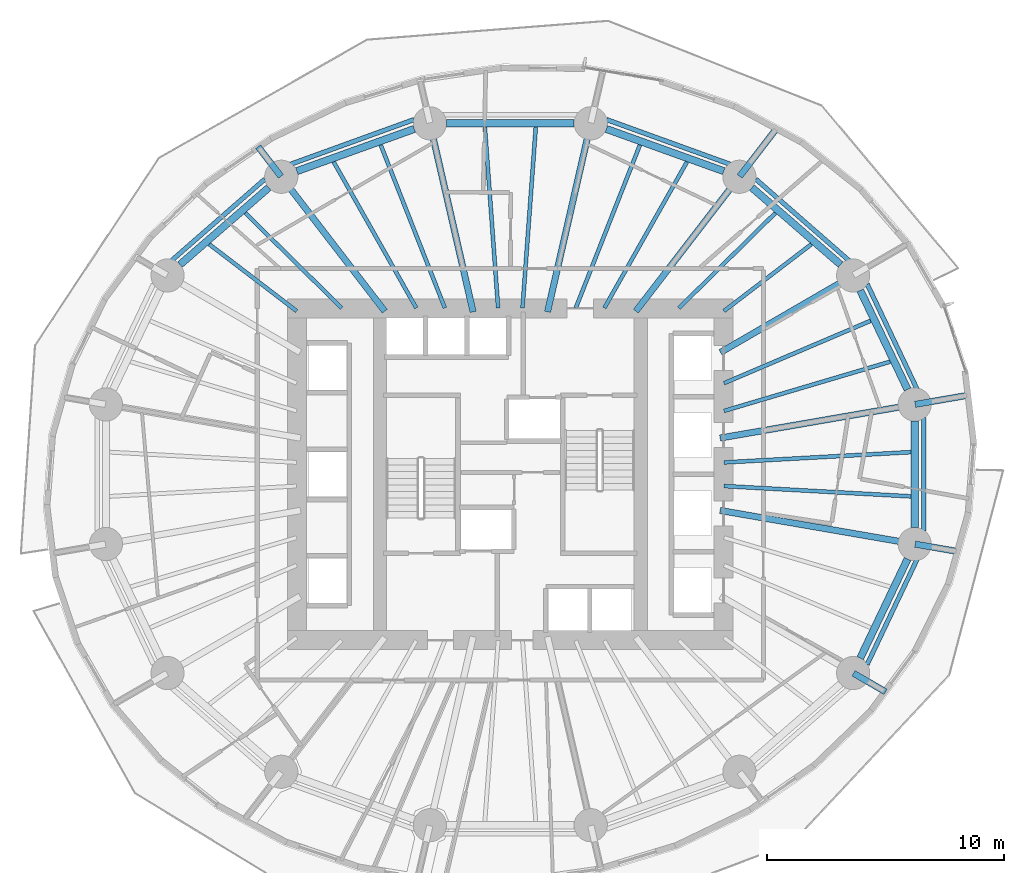
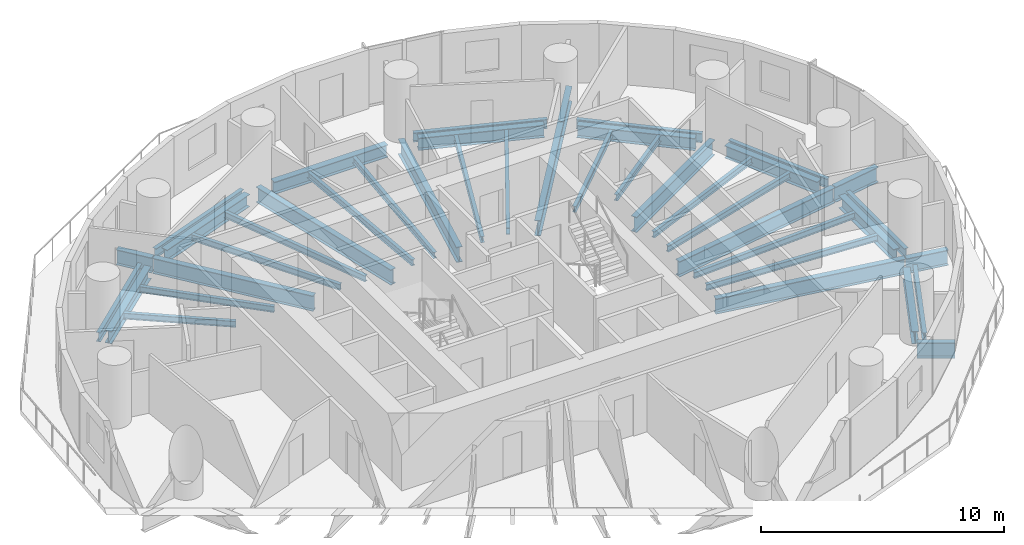
# One storey, part 2 of 13: 41 beams.
"""IFC4 building model written with IfcOpenShell, lengths in metres."""

from ifc_helpers import new_model, si_unit, direction, frame, origin, origin_2d, place, context, subcontext, project, spatial, i_section, extrude, material, material_profile, profile_set, type_object, element, save


model = new_model("IFC4")

# Units and contexts
model_context = context("Model", 3, precision=1e-05, world=origin(), true_north=direction((0.0, 1.0)))
body_context = subcontext(model_context, "Body", "Model", "MODEL_VIEW")
ifc_project = project(units=[si_unit("LENGTHUNIT", "METRE"), si_unit("AREAUNIT", "SQUARE_METRE"), si_unit("VOLUMEUNIT", "CUBIC_METRE"), si_unit("PLANEANGLEUNIT", "RADIAN"), si_unit("MASSUNIT", "GRAM", prefix="KILO")], contexts=[model_context])

# Site, building, storey
site_placement = place(None, origin())
site = spatial("IfcSite", under=ifc_project, at=site_placement, CompositionType="ELEMENT")
building_placement = place(site_placement, origin())
building = spatial("IfcBuilding", under=site, at=building_placement, Name="Veldorim Arch Residences", CompositionType="ELEMENT")
storey_placement = place(building_placement, frame((0.0, 0.0, 56.800048828125)))
storey = spatial("IfcBuildingStorey", under=building, at=storey_placement, Name="L16", CompositionType="ELEMENT", Elevation=56.800048828125)

# Beams
ifc_material_1 = material(Name="Steel S355", Category="steel")
ifc_material_profile_1 = material_profile(ifc_material_1, i_section(OverallWidth=0.30712890625, OverallDepth=0.6201171875, WebThickness=0.01416015625, FlangeThickness=0.023681640625, at=origin_2d()), Name="UB610x305x179")
ifc_profile_set_1 = profile_set([ifc_material_profile_1], Name="Steel S355")
beam_type_1 = type_object("IfcBeamType", Name="Structural Steel Beam UB610x305x179", PredefinedType="BEAM", material=ifc_profile_set_1)
beam_1_placement = place(storey_placement, frame((48.76416015625, 27.57763671875, -0.550048828125), z_axis=(-0.430776422552, 0.902458682585, 0.0), x_axis=(-0.902458682585, -0.430776422552, 0.0)))
element("IfcBeam", 1, at=beam_1_placement, inside=storey, type_object=beam_type_1, Name="L16 perimeter ring tie beam 01", PredefinedType="BEAM", context=body_context, shape_type="SweptSolid", body=[
    extrude(i_section(OverallWidth=0.30712890625, OverallDepth=0.6201171875, WebThickness=0.01416015625, FlangeThickness=0.023681640625, at=origin_2d()), origin(), (0.0, 0.0, 1.0), 4.63134765625),
])
beam_2_placement = place(storey_placement, frame((45.93896484375, 32.847900390625, -0.550048828125), z_axis=(-0.755264734985, 0.655419850239, 0.0), x_axis=(-0.655419850239, -0.755264734985, 0.0)))
element("IfcBeam", 2, at=beam_2_placement, inside=storey, type_object=beam_type_1, Name="L16 perimeter ring tie beam 02", PredefinedType="BEAM", context=body_context, shape_type="SweptSolid", body=[
    extrude(i_section(OverallWidth=0.30712890625, OverallDepth=0.6201171875, WebThickness=0.01416015625, FlangeThickness=0.023681640625, at=origin_2d()), origin(), (0.0, 0.0, 1.0), 4.956298828125),
])
beam_3_placement = place(storey_placement, frame((41.00830078125, 36.7919921875, -0.550048828125), z_axis=(-0.941058113369, 0.338244922006, 0.0), x_axis=(-0.338244922006, -0.941058113369, 0.0)))
element("IfcBeam", 3, at=beam_3_placement, inside=storey, type_object=beam_type_1, Name="L16 perimeter ring tie beam 03", PredefinedType="BEAM", context=body_context, shape_type="SweptSolid", body=[
    extrude(i_section(OverallWidth=0.30712890625, OverallDepth=0.6201171875, WebThickness=0.01416015625, FlangeThickness=0.023681640625, at=origin_2d()), origin(), (0.0, 0.0, 1.0), 5.265380859375),
])
beam_4_placement = place(storey_placement, frame((34.694580078125, 38.809814453125, -0.550048828125), z_axis=(-1.0, 0.0, 0.0), x_axis=(0.0, -1.0, 0.0)))
element("IfcBeam", 4, at=beam_4_placement, inside=storey, type_object=beam_type_1, Name="L16 perimeter ring tie beam 04", PredefinedType="BEAM", context=body_context, shape_type="SweptSolid", body=[
    extrude(i_section(OverallWidth=0.30712890625, OverallDepth=0.6201171875, WebThickness=0.01416015625, FlangeThickness=0.023681640625, at=origin_2d()), origin(), (0.0, 0.0, 1.0), 5.38916015625),
])
beam_5_placement = place(storey_placement, frame((27.94677734375, 38.572998046875, -0.550048828125), z_axis=(-0.941058113369, -0.338244922006, 0.0), x_axis=(0.338244922006, -0.941058113369, 0.0)))
element("IfcBeam", 5, at=beam_5_placement, inside=storey, type_object=beam_type_1, Name="L16 perimeter ring tie beam 05", PredefinedType="BEAM", context=body_context, shape_type="SweptSolid", body=[
    extrude(i_section(OverallWidth=0.30712890625, OverallDepth=0.6201171875, WebThickness=0.01416015625, FlangeThickness=0.023681640625, at=origin_2d()), origin(), (0.0, 0.0, 1.0), 5.265380859375),
])
beam_6_placement = place(storey_placement, frame((21.804443359375, 36.096435546875, -0.550048828125), z_axis=(-0.755264734985, -0.655419850239, 0.0), x_axis=(0.655419850239, -0.755264734985, 0.0)))
element("IfcBeam", 6, at=beam_6_placement, inside=storey, type_object=beam_type_1, Name="L16 perimeter ring tie beam 06", PredefinedType="BEAM", context=body_context, shape_type="SweptSolid", body=[
    extrude(i_section(OverallWidth=0.30712890625, OverallDepth=0.6201171875, WebThickness=0.01416015625, FlangeThickness=0.023681640625, at=origin_2d()), origin(), (0.0, 0.0, 1.0), 4.956298828125),
])
beam_7_placement = place(storey_placement, frame((46.76904296875, 16.24267578125, -0.550048828125), z_axis=(0.430776422552, 0.902458682585, 0.0), x_axis=(-0.902458682585, 0.430776422552, 0.0)))
element("IfcBeam", 7, at=beam_7_placement, inside=storey, type_object=beam_type_1, Name="L16 perimeter ring tie beam 15", PredefinedType="BEAM", context=body_context, shape_type="SweptSolid", body=[
    extrude(i_section(OverallWidth=0.30712890625, OverallDepth=0.6201171875, WebThickness=0.01416015625, FlangeThickness=0.023681640625, at=origin_2d()), origin(), (0.0, 0.0, 1.0), 4.63134765625),
])
beam_8_placement = place(storey_placement, frame((49.065673828125, 21.754150390625, -0.550048828125), z_axis=(0.0, 1.0, 0.0), x_axis=(-1.0, 0.0, 0.0)))
element("IfcBeam", 8, at=beam_8_placement, inside=storey, type_object=beam_type_1, Name="L16 perimeter ring tie beam 16", PredefinedType="BEAM", context=body_context, shape_type="SweptSolid", body=[
    extrude(i_section(OverallWidth=0.30712890625, OverallDepth=0.6201171875, WebThickness=0.01416015625, FlangeThickness=0.023681640625, at=origin_2d()), origin(), (0.0, 0.0, 1.0), 4.49169921875),
])
ifc_material_2 = material(Name="Steel S355", Category="steel")
ifc_material_profile_2 = material_profile(ifc_material_2, i_section(OverallWidth=0.26806640625, OverallDepth=0.769775390625, WebThickness=0.015625, FlangeThickness=0.025390625, at=origin_2d()), Name="UB762x267x197")
ifc_profile_set_2 = profile_set([ifc_material_profile_2], Name="Steel S355")
beam_type_2 = type_object("IfcBeamType", Name="Structural Steel GIRDER UB762x267x197", PredefinedType="USERDEFINED", material=ifc_profile_set_2)
beam_9_placement = place(storey_placement, frame((40.852294921875, 25.528076171875, -0.625), z_axis=(0.985427548249, 0.170095699979, 0.0), x_axis=(-0.170095699979, 0.985427548249, 0.0)))
element("IfcBeam", 9, at=beam_9_placement, inside=storey, type_object=beam_type_2, Name="L16 radial floor girder 01", ObjectType="GIRDER", PredefinedType="USERDEFINED", context=body_context, shape_type="SweptSolid", body=[
    extrude(i_section(OverallWidth=0.26806640625, OverallDepth=0.769775390625, WebThickness=0.015625, FlangeThickness=0.025390625, at=origin_2d()), origin(), (0.0, 0.0, 1.0), 8.314697265625),
])
beam_10_placement = place(storey_placement, frame((49.08544921875, 26.94921875, -0.625), z_axis=(0.985413878658, 0.170174874021, 0.0), x_axis=(-0.170174874021, 0.985413878658, 0.0)))
element("IfcBeam", 10, at=beam_10_placement, inside=storey, type_object=beam_type_2, Name="L16 radial edge cantilever girder 01", ObjectType="GIRDER", PredefinedType="USERDEFINED", context=body_context, shape_type="SweptSolid", body=[
    extrude(i_section(OverallWidth=0.26806640625, OverallDepth=0.769775390625, WebThickness=0.015625, FlangeThickness=0.025390625, at=origin_2d()), origin(), (0.0, 0.0, 1.0), 2.288330078125),
])
beam_11_placement = place(storey_placement, frame((40.8701171875, 29.1435546875, -0.625), z_axis=(0.865088348752, 0.501619525989, 0.0), x_axis=(-0.501619525989, 0.865088348752, 0.0)))
element("IfcBeam", 11, at=beam_11_placement, inside=storey, type_object=beam_type_2, Name="L16 radial floor girder 02", ObjectType="GIRDER", PredefinedType="USERDEFINED", context=body_context, shape_type="SweptSolid", body=[
    extrude(i_section(OverallWidth=0.26806640625, OverallDepth=0.769775390625, WebThickness=0.015625, FlangeThickness=0.025390625, at=origin_2d()), origin(), (0.0, 0.0, 1.0), 6.4501953125),
])
beam_12_placement = place(storey_placement, frame((37.298095703125, 30.881103515625, -0.625), z_axis=(0.610082439157, 0.792337943956, 0.0), x_axis=(-0.792337943956, 0.610082439157, 0.0)))
element("IfcBeam", 12, at=beam_12_placement, inside=storey, type_object=beam_type_2, Name="L16 radial floor girder 03", ObjectType="GIRDER", PredefinedType="USERDEFINED", context=body_context, shape_type="SweptSolid", body=[
    extrude(i_section(OverallWidth=0.26806640625, OverallDepth=0.769775390625, WebThickness=0.015625, FlangeThickness=0.025390625, at=origin_2d()), origin(), (0.0, 0.0, 1.0), 7.14111328125),
])
beam_13_placement = place(storey_placement, frame((41.67919921875, 36.571044921875, -0.625), z_axis=(0.610041651391, 0.792369347948, 0.0), x_axis=(-0.792369347948, 0.610041651391, 0.0)))
element("IfcBeam", 13, at=beam_13_placement, inside=storey, type_object=beam_type_2, Name="L16 radial edge cantilever girder 03", ObjectType="GIRDER", PredefinedType="USERDEFINED", context=body_context, shape_type="SweptSolid", body=[
    extrude(i_section(OverallWidth=0.26806640625, OverallDepth=0.769775390625, WebThickness=0.015625, FlangeThickness=0.025390625, at=origin_2d()), origin(), (0.0, 0.0, 1.0), 2.56689453125),
])
for number, where, z_axis, x_axis, name in (
    (14, (33.571044921875, 30.853759765625, -0.625), (0.223411766201, 0.974724157248, 0.0), (-0.974724157248, 0.223411766201, 0.0), "L16 radial floor girder 04"),
    (15, (30.428955078125, 30.853759765625, -0.625), (-0.223411766201, 0.974724157248, 0.0), (-0.974724157248, -0.223411766201, 0.0), "L16 radial floor girder 05"),
):
    element("IfcBeam", number, at=place(storey_placement, frame(where, z_axis=z_axis, x_axis=x_axis)), inside=storey, type_object=beam_type_2, Name=name, ObjectType="GIRDER", PredefinedType="USERDEFINED", context=body_context, shape_type="SweptSolid", body=[
        extrude(i_section(OverallWidth=0.26806640625, OverallDepth=0.769775390625, WebThickness=0.015625, FlangeThickness=0.025390625, at=origin_2d()), origin(), (0.0, 0.0, 1.0), 8.142333984375),
    ])
beam_14_placement = place(storey_placement, frame((26.701904296875, 30.881103515625, -0.625), z_axis=(-0.610082439157, 0.792337943956, 0.0), x_axis=(-0.792337943956, -0.610082439157, 0.0)))
element("IfcBeam", 16, at=beam_14_placement, inside=storey, type_object=beam_type_2, Name="L16 radial floor girder 06", ObjectType="GIRDER", PredefinedType="USERDEFINED", context=body_context, shape_type="SweptSolid", body=[
    extrude(i_section(OverallWidth=0.26806640625, OverallDepth=0.769775390625, WebThickness=0.015625, FlangeThickness=0.025390625, at=origin_2d()), origin(), (0.0, 0.0, 1.0), 7.14111328125),
])
beam_15_placement = place(storey_placement, frame((22.32080078125, 36.571044921875, -0.625), z_axis=(-0.610061594732, 0.792353993259, 0.0), x_axis=(-0.792353993259, -0.610061594732, 0.0)))
element("IfcBeam", 17, at=beam_15_placement, inside=storey, type_object=beam_type_2, Name="L16 radial edge cantilever girder 06", ObjectType="GIRDER", PredefinedType="USERDEFINED", context=body_context, shape_type="SweptSolid", body=[
    extrude(i_section(OverallWidth=0.26806640625, OverallDepth=0.769775390625, WebThickness=0.015625, FlangeThickness=0.025390625, at=origin_2d()), origin(), (0.0, 0.0, 1.0), 1.580322265625),
])
beam_16_placement = place(storey_placement, frame((46.48486328125, 15.600830078125, -0.625), z_axis=(0.865069192435, -0.50165256134, 0.0), x_axis=(0.50165256134, 0.865069192435, 0.0)))
element("IfcBeam", 18, at=beam_16_placement, inside=storey, type_object=beam_type_2, Name="L16 radial edge cantilever girder 15", ObjectType="GIRDER", PredefinedType="USERDEFINED", context=body_context, shape_type="SweptSolid", body=[
    extrude(i_section(OverallWidth=0.26806640625, OverallDepth=0.769775390625, WebThickness=0.015625, FlangeThickness=0.025390625, at=origin_2d()), origin(), (0.0, 0.0, 1.0), 1.561279296875),
])
beam_17_placement = place(storey_placement, frame((40.852294921875, 22.471923828125, -0.625), z_axis=(0.985427548249, -0.170095699979, 0.0), x_axis=(0.170095699979, 0.985427548249, 0.0)))
element("IfcBeam", 19, at=beam_17_placement, inside=storey, type_object=beam_type_2, Name="L16 radial floor girder 16", ObjectType="GIRDER", PredefinedType="USERDEFINED", context=body_context, shape_type="SweptSolid", body=[
    extrude(i_section(OverallWidth=0.26806640625, OverallDepth=0.769775390625, WebThickness=0.015625, FlangeThickness=0.025390625, at=origin_2d()), origin(), (0.0, 0.0, 1.0), 8.314697265625),
])
beam_18_placement = place(storey_placement, frame((49.08544921875, 21.05078125, -0.625), z_axis=(0.985429411719, -0.170084903857, 0.0), x_axis=(0.170084903857, 0.985429411719, 0.0)))
element("IfcBeam", 20, at=beam_18_placement, inside=storey, type_object=beam_type_2, Name="L16 radial edge cantilever girder 16", ObjectType="GIRDER", PredefinedType="USERDEFINED", context=body_context, shape_type="SweptSolid", body=[
    extrude(i_section(OverallWidth=0.26806640625, OverallDepth=0.769775390625, WebThickness=0.015625, FlangeThickness=0.025390625, at=origin_2d()), origin(), (0.0, 0.0, 1.0), 1.83740234375),
])
ifc_material_3 = material(Name="Steel S355", Category="steel")
ifc_material_profile_3 = material_profile(ifc_material_3, i_section(OverallWidth=0.165771484375, OverallDepth=0.306640625, WebThickness=0.006591796875, FlangeThickness=0.01171875, at=origin_2d()), Name="UB305x165x46")
ifc_profile_set_3 = profile_set([ifc_material_profile_3], Name="Steel S355")
beam_type_3 = type_object("IfcBeamType", Name="Structural Steel Joist UB305x165x46", PredefinedType="JOIST", material=ifc_profile_set_3)
beam_19_placement = place(storey_placement, frame((41.019287109375, 26.67333984375, -0.393310546875), z_axis=(0.958766778771, 0.284194060325, 0.0), x_axis=(-0.284194060325, 0.958766778771, 0.0)))
element("IfcBeam", 21, at=beam_19_placement, inside=storey, type_object=beam_type_3, Name="L16 secondary radial floor joist 01-1", PredefinedType="JOIST", context=body_context, shape_type="SweptSolid", body=[
    extrude(i_section(OverallWidth=0.165771484375, OverallDepth=0.306640625, WebThickness=0.006591796875, FlangeThickness=0.01171875, at=origin_2d()), origin(), (0.0, 0.0, 1.0), 7.3115234375),
])
beam_20_placement = place(storey_placement, frame((41.018310546875, 27.84130859375, -0.393310546875), z_axis=(0.920032948668, 0.391841005213, 0.0), x_axis=(-0.391841005213, 0.920032948668, 0.0)))
element("IfcBeam", 22, at=beam_20_placement, inside=storey, type_object=beam_type_3, Name="L16 secondary radial floor joist 01-2", PredefinedType="JOIST", context=body_context, shape_type="SweptSolid", body=[
    extrude(i_section(OverallWidth=0.165771484375, OverallDepth=0.306640625, WebThickness=0.006591796875, FlangeThickness=0.01171875, at=origin_2d()), origin(), (0.0, 0.0, 1.0), 6.723388671875),
])
beam_21_placement = place(storey_placement, frame((41.015869140625, 30.8876953125, -0.393310546875), z_axis=(0.794666431166, 0.607046343517, 0.0), x_axis=(-0.607046343517, 0.794666431166, 0.0)))
element("IfcBeam", 23, at=beam_21_placement, inside=storey, type_object=beam_type_3, Name="L16 secondary radial floor joist 02-1", PredefinedType="JOIST", context=body_context, shape_type="SweptSolid", body=[
    extrude(i_section(OverallWidth=0.165771484375, OverallDepth=0.306640625, WebThickness=0.006591796875, FlangeThickness=0.01171875, at=origin_2d()), origin(), (0.0, 0.0, 1.0), 4.646728515625),
])
beam_22_placement = place(storey_placement, frame((39.114990234375, 31.013916015625, -0.393310546875), z_axis=(0.712129078446, 0.702048556463, 0.0), x_axis=(-0.702048556463, 0.712129078446, 0.0)))
element("IfcBeam", 24, at=beam_22_placement, inside=storey, type_object=beam_type_3, Name="L16 secondary radial floor joist 02-2", PredefinedType="JOIST", context=body_context, shape_type="SweptSolid", body=[
    extrude(i_section(OverallWidth=0.165771484375, OverallDepth=0.306640625, WebThickness=0.006591796875, FlangeThickness=0.01171875, at=origin_2d()), origin(), (0.0, 0.0, 1.0), 5.715576171875),
])
beam_23_placement = place(storey_placement, frame((35.96875, 31.017333984375, -0.393310546875), z_axis=(0.492292335352, 0.870429926274, 0.0), x_axis=(-0.870429926274, 0.492292335352, 0.0)))
element("IfcBeam", 25, at=beam_23_placement, inside=storey, type_object=beam_type_3, Name="L16 secondary radial floor joist 03-1", PredefinedType="JOIST", context=body_context, shape_type="SweptSolid", body=[
    extrude(i_section(OverallWidth=0.165771484375, OverallDepth=0.306640625, WebThickness=0.006591796875, FlangeThickness=0.01171875, at=origin_2d()), origin(), (0.0, 0.0, 1.0), 7.083251953125),
])
beam_24_placement = place(storey_placement, frame((34.762451171875, 31.0185546875, -0.393310546875), z_axis=(0.366229833858, 0.930524426758, 0.0), x_axis=(-0.930524426758, 0.366229833858, 0.0)))
element("IfcBeam", 26, at=beam_24_placement, inside=storey, type_object=beam_type_3, Name="L16 secondary radial floor joist 03-2", PredefinedType="JOIST", context=body_context, shape_type="SweptSolid", body=[
    extrude(i_section(OverallWidth=0.165771484375, OverallDepth=0.306640625, WebThickness=0.006591796875, FlangeThickness=0.01171875, at=origin_2d()), origin(), (0.0, 0.0, 1.0), 7.3896484375),
])
for number, where, z_axis, x_axis, name in (
    (27, (32.514892578125, 31.02001953125, -0.393310546875), (0.073167620373, 0.997319657547, 0.0), (-0.997319657547, 0.073167620373, 0.0), "L16 secondary radial floor joist 04-1"),
    (28, (31.485107421875, 31.02001953125, -0.393310546875), (-0.073167620373, 0.997319657547, 0.0), (-0.997319657547, -0.073167620373, 0.0), "L16 secondary radial floor joist 04-2"),
):
    element("IfcBeam", number, at=place(storey_placement, frame(where, z_axis=z_axis, x_axis=x_axis)), inside=storey, type_object=beam_type_3, Name=name, PredefinedType="JOIST", context=body_context, shape_type="SweptSolid", body=[
        extrude(i_section(OverallWidth=0.165771484375, OverallDepth=0.306640625, WebThickness=0.006591796875, FlangeThickness=0.01171875, at=origin_2d()), origin(), (0.0, 0.0, 1.0), 7.651123046875),
    ])
beam_25_placement = place(storey_placement, frame((29.237548828125, 31.0185546875, -0.393310546875), z_axis=(-0.366229833858, 0.930524426758, 0.0), x_axis=(-0.930524426758, -0.366229833858, 0.0)))
element("IfcBeam", 29, at=beam_25_placement, inside=storey, type_object=beam_type_3, Name="L16 secondary radial floor joist 05-1", PredefinedType="JOIST", context=body_context, shape_type="SweptSolid", body=[
    extrude(i_section(OverallWidth=0.165771484375, OverallDepth=0.306640625, WebThickness=0.006591796875, FlangeThickness=0.01171875, at=origin_2d()), origin(), (0.0, 0.0, 1.0), 7.3896484375),
])
beam_26_placement = place(storey_placement, frame((28.03125, 31.017333984375, -0.393310546875), z_axis=(-0.492292335352, 0.870429926274, 0.0), x_axis=(-0.870429926274, -0.492292335352, 0.0)))
element("IfcBeam", 30, at=beam_26_placement, inside=storey, type_object=beam_type_3, Name="L16 secondary radial floor joist 05-2", PredefinedType="JOIST", context=body_context, shape_type="SweptSolid", body=[
    extrude(i_section(OverallWidth=0.165771484375, OverallDepth=0.306640625, WebThickness=0.006591796875, FlangeThickness=0.01171875, at=origin_2d()), origin(), (0.0, 0.0, 1.0), 7.083251953125),
])
beam_27_placement = place(storey_placement, frame((24.885009765625, 31.013916015625, -0.393310546875), z_axis=(-0.712129078446, 0.702048556463, 0.0), x_axis=(-0.702048556463, -0.712129078446, 0.0)))
element("IfcBeam", 31, at=beam_27_placement, inside=storey, type_object=beam_type_3, Name="L16 secondary radial floor joist 06-1", PredefinedType="JOIST", context=body_context, shape_type="SweptSolid", body=[
    extrude(i_section(OverallWidth=0.165771484375, OverallDepth=0.306640625, WebThickness=0.006591796875, FlangeThickness=0.01171875, at=origin_2d()), origin(), (0.0, 0.0, 1.0), 5.715576171875),
])
beam_28_placement = place(storey_placement, frame((22.984130859375, 30.8876953125, -0.393310546875), z_axis=(-0.794666431166, 0.607046343517, 0.0), x_axis=(-0.607046343517, -0.794666431166, 0.0)))
element("IfcBeam", 32, at=beam_28_placement, inside=storey, type_object=beam_type_3, Name="L16 secondary radial floor joist 06-2", PredefinedType="JOIST", context=body_context, shape_type="SweptSolid", body=[
    extrude(i_section(OverallWidth=0.165771484375, OverallDepth=0.306640625, WebThickness=0.006591796875, FlangeThickness=0.01171875, at=origin_2d()), origin(), (0.0, 0.0, 1.0), 4.646728515625),
])
for number, where, z_axis, x_axis, name in (
    (33, (41.02001953125, 23.501708984375, -0.393310546875), (0.998478371109, -0.055144740699, 0.0), (0.055144740699, 0.998478371109, 0.0), "L16 secondary radial floor joist 16-1"),
    (34, (41.02001953125, 24.498291015625, -0.393310546875), (0.998478371109, 0.055144740699, 0.0), (-0.055144740699, 0.998478371109, 0.0), "L16 secondary radial floor joist 16-2"),
):
    element("IfcBeam", number, at=place(storey_placement, frame(where, z_axis=z_axis, x_axis=x_axis)), inside=storey, type_object=beam_type_3, Name=name, PredefinedType="JOIST", context=body_context, shape_type="SweptSolid", body=[
        extrude(i_section(OverallWidth=0.165771484375, OverallDepth=0.306640625, WebThickness=0.006591796875, FlangeThickness=0.01171875, at=origin_2d()), origin(), (0.0, 0.0, 1.0), 7.898193359375),
    ])
ifc_material_4 = material(Name="Steel S355", Category="steel")
ifc_material_profile_4 = material_profile(ifc_material_4, i_section(OverallWidth=0.19140625, OverallDepth=0.4599609375, WebThickness=0.010009765625, FlangeThickness=0.01611328125, at=origin_2d()), Name="UB457x191x82")
ifc_profile_set_4 = profile_set([ifc_material_profile_4], Name="Steel S355")
beam_type_4 = type_object("IfcBeamType", Name="Structural Steel Spandrel UB457x191x82", PredefinedType="SPANDREL", material=ifc_profile_set_4)
beam_29_placement = place(storey_placement, frame((49.176025390625, 27.56689453125, -0.489990234375), z_axis=(-0.428847831425, 0.903376741721, 0.0), x_axis=(-0.903376741721, -0.428847831425, 0.0)))
element("IfcBeam", 35, at=beam_29_placement, inside=storey, type_object=beam_type_4, Name="L16 perimeter chord spandrel beam 01", PredefinedType="SPANDREL", context=body_context, shape_type="SweptSolid", body=[
    extrude(i_section(OverallWidth=0.19140625, OverallDepth=0.4599609375, WebThickness=0.010009765625, FlangeThickness=0.01611328125, at=origin_2d()), origin(), (0.0, 0.0, 1.0), 4.932861328125),
])
beam_30_placement = place(storey_placement, frame((46.332275390625, 32.98486328125, -0.489990234375), z_axis=(-0.75323350982, 0.657753205758, 0.0), x_axis=(-0.657753205758, -0.75323350982, 0.0)))
element("IfcBeam", 36, at=beam_30_placement, inside=storey, type_object=beam_type_4, Name="L16 perimeter chord spandrel beam 02", PredefinedType="SPANDREL", context=body_context, shape_type="SweptSolid", body=[
    extrude(i_section(OverallWidth=0.19140625, OverallDepth=0.4599609375, WebThickness=0.010009765625, FlangeThickness=0.01611328125, at=origin_2d()), origin(), (0.0, 0.0, 1.0), 5.27001953125),
])
for number, where, z_axis, x_axis, name in (
    (37, (41.319580078125, 37.06591796875, -0.489990234375), (-0.940268980555, 0.340432437064, 0.0), (-0.340432437064, -0.940268980555, 0.0), "L16 perimeter chord spandrel beam 03"),
    (38, (27.94140625, 38.970703125, -0.489990234375), (-0.940268980555, -0.340432437064, 0.0), (0.340432437064, -0.940268980555, 0.0), "L16 perimeter chord spandrel beam 05"),
):
    element("IfcBeam", number, at=place(storey_placement, frame(where, z_axis=z_axis, x_axis=x_axis)), inside=storey, type_object=beam_type_4, Name=name, PredefinedType="SPANDREL", context=body_context, shape_type="SweptSolid", body=[
        extrude(i_section(OverallWidth=0.19140625, OverallDepth=0.4599609375, WebThickness=0.010009765625, FlangeThickness=0.01611328125, at=origin_2d()), origin(), (0.0, 0.0, 1.0), 5.59521484375),
    ])
beam_31_placement = place(storey_placement, frame((21.63720703125, 36.451171875, -0.489990234375), z_axis=(-0.75323350982, -0.657753205758, 0.0), x_axis=(0.657753205758, -0.75323350982, 0.0)))
element("IfcBeam", 39, at=beam_31_placement, inside=storey, type_object=beam_type_4, Name="L16 perimeter chord spandrel beam 06", PredefinedType="SPANDREL", context=body_context, shape_type="SweptSolid", body=[
    extrude(i_section(OverallWidth=0.19140625, OverallDepth=0.4599609375, WebThickness=0.010009765625, FlangeThickness=0.01611328125, at=origin_2d()), origin(), (0.0, 0.0, 1.0), 5.27001953125),
])
beam_32_placement = place(storey_placement, frame((47.060546875, 15.976806640625, -0.489990234375), z_axis=(0.428847831425, 0.903376741721, 0.0), x_axis=(-0.903376741721, 0.428847831425, 0.0)))
element("IfcBeam", 40, at=beam_32_placement, inside=storey, type_object=beam_type_4, Name="L16 perimeter chord spandrel beam 15", PredefinedType="SPANDREL", context=body_context, shape_type="SweptSolid", body=[
    extrude(i_section(OverallWidth=0.19140625, OverallDepth=0.4599609375, WebThickness=0.010009765625, FlangeThickness=0.01611328125, at=origin_2d()), origin(), (0.0, 0.0, 1.0), 4.932861328125),
])
beam_33_placement = place(storey_placement, frame((49.440185546875, 21.60546875, -0.489990234375), z_axis=(0.0, 1.0, 0.0), x_axis=(-1.0, 0.0, 0.0)))
element("IfcBeam", 41, at=beam_33_placement, inside=storey, type_object=beam_type_4, Name="L16 perimeter chord spandrel beam 16", PredefinedType="SPANDREL", context=body_context, shape_type="SweptSolid", body=[
    extrude(i_section(OverallWidth=0.19140625, OverallDepth=0.4599609375, WebThickness=0.010009765625, FlangeThickness=0.01611328125, at=origin_2d()), origin(), (0.0, 0.0, 1.0), 4.7890625),
])

save(model, "model.ifc")
